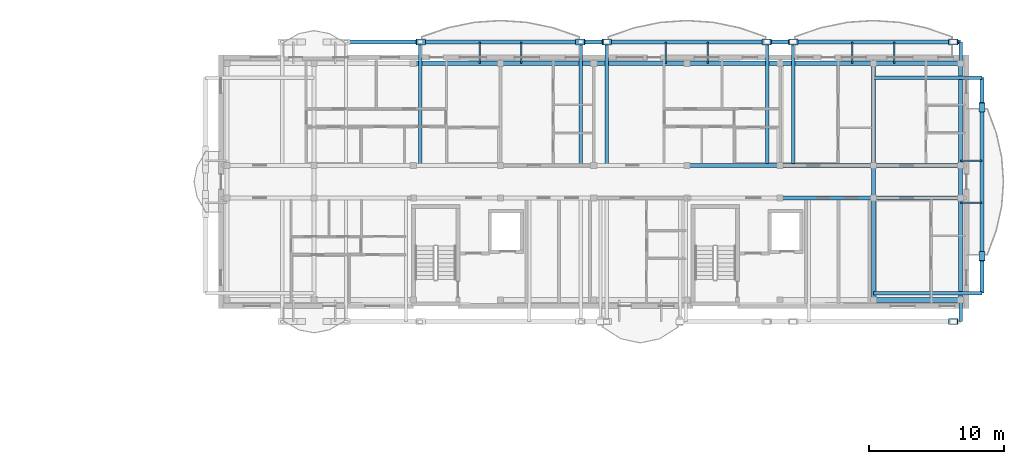
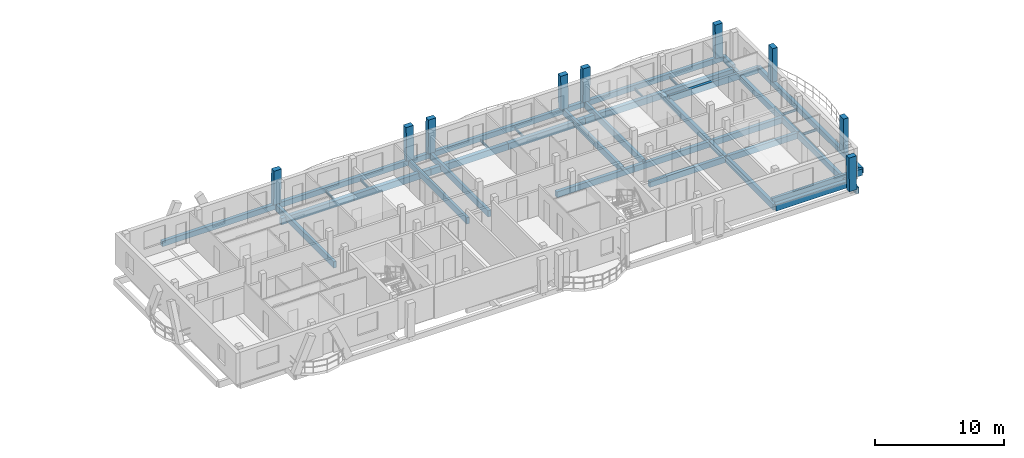
# One storey, part 7 of 48: 37 beams, 9 members.
"""IFC4 building model written with IfcOpenShell, lengths in metres."""

from ifc_helpers import new_model, si_unit, direction, frame, origin, origin_2d, place, context, subcontext, project, spatial, rectangle, i_section, extrude, material, material_profile, profile_set, type_object, element, save


model = new_model("IFC4")

# Units and contexts
model_context = context("Model", 3, precision=1e-05, world=origin(), true_north=direction((0.0, 1.0)))
body_context = subcontext(model_context, "Body", "Model", "MODEL_VIEW")
ifc_project = project(units=[si_unit("LENGTHUNIT", "METRE"), si_unit("AREAUNIT", "SQUARE_METRE"), si_unit("VOLUMEUNIT", "CUBIC_METRE"), si_unit("PLANEANGLEUNIT", "RADIAN"), si_unit("MASSUNIT", "GRAM", prefix="KILO")], contexts=[model_context])

# Site, building, storey
site_placement = place(None, origin())
site = spatial("IfcSite", under=ifc_project, at=site_placement, CompositionType="ELEMENT")
building_placement = place(site_placement, origin())
building = spatial("IfcBuilding", under=site, at=building_placement, Name="Zavelmont Quarter", CompositionType="ELEMENT")
storey_placement = place(building_placement, frame((0.0, 0.0, 17.60009765625)))
storey = spatial("IfcBuildingStorey", under=building, at=storey_placement, Name="L05", CompositionType="ELEMENT", Elevation=17.60009765625)

# Beams
ifc_material_1 = material(Name="Concrete C35/45", Category="concrete")
ifc_material_profile_1 = material_profile(ifc_material_1, rectangle(XDim=0.35009765625, YDim=0.60009765625, at=origin_2d()), Name="RC350X600")
ifc_profile_set_1 = profile_set([ifc_material_profile_1], Name="Concrete C35/45")
beam_type_1 = type_object("IfcBeamType", Name="BM01", PredefinedType="SPANDREL", material=ifc_profile_set_1)
for number, where, z_axis, x_axis, name in (
    (1, (161.10009765625, 98.0400390625, -0.56005859375), (1.0, 0.0, 0.0), (0.0, 1.0, 0.0), "L05 beam BM01 24/P to 25/P"),
    (2, (127.0400390625, 115.56005859375, -0.56005859375), (1.0, 0.0, 0.0), (0.0, 1.0, 0.0), "L05 beam BM01 19/S to 20/S"),
):
    element("IfcBeam", number, at=place(storey_placement, frame(where, z_axis=z_axis, x_axis=x_axis)), inside=storey, type_object=beam_type_1, Name=name, PredefinedType="SPANDREL", context=body_context, shape_type="SweptSolid", body=[
        extrude(rectangle(XDim=0.35009765625, YDim=0.60009765625, at=origin_2d()), origin(), (0.0, 0.0, 1.0), 6.4599609375),
    ])
beam_1_placement = place(storey_placement, frame((133.5, 115.56005859375, -0.56005859375), z_axis=(1.0, 0.0, 0.0), x_axis=(0.0, 1.0, 0.0)))
element("IfcBeam", 3, at=beam_1_placement, inside=storey, type_object=beam_type_1, Name="L05 beam BM01 20/S to 21/S", PredefinedType="SPANDREL", context=body_context, shape_type="SweptSolid", body=[
    extrude(rectangle(XDim=0.35009765625, YDim=0.60009765625, at=origin_2d()), origin(), (0.0, 0.0, 1.0), 6.89990234375),
])
beam_2_placement = place(storey_placement, frame((140.39990234375, 115.56005859375, -0.56005859375), z_axis=(1.0, 0.0, 0.0), x_axis=(0.0, 1.0, 0.0)))
element("IfcBeam", 4, at=beam_2_placement, inside=storey, type_object=beam_type_1, Name="L05 beam BM01 21/S to 22/S", PredefinedType="SPANDREL", context=body_context, shape_type="SweptSolid", body=[
    extrude(rectangle(XDim=0.35009765625, YDim=0.60009765625, at=origin_2d()), origin(), (0.0, 0.0, 1.0), 6.900146484375),
])
beam_3_placement = place(storey_placement, frame((147.300048828125, 115.56005859375, -0.56005859375), z_axis=(1.0, 0.0, 0.0), x_axis=(0.0, 1.0, 0.0)))
element("IfcBeam", 5, at=beam_3_placement, inside=storey, type_object=beam_type_1, Name="L05 beam BM01 22/S to 23/S", PredefinedType="SPANDREL", context=body_context, shape_type="SweptSolid", body=[
    extrude(rectangle(XDim=0.35009765625, YDim=0.60009765625, at=origin_2d()), origin(), (0.0, 0.0, 1.0), 6.89990234375),
])
beam_4_placement = place(storey_placement, frame((154.199951171875, 115.56005859375, -0.56005859375), z_axis=(1.0, 0.0, 0.0), x_axis=(0.0, 1.0, 0.0)))
element("IfcBeam", 6, at=beam_4_placement, inside=storey, type_object=beam_type_1, Name="L05 beam BM01 23/S to 24/S", PredefinedType="SPANDREL", context=body_context, shape_type="SweptSolid", body=[
    extrude(rectangle(XDim=0.35009765625, YDim=0.60009765625, at=origin_2d()), origin(), (0.0, 0.0, 1.0), 6.900146484375),
])
beam_5_placement = place(storey_placement, frame((161.10009765625, 115.56005859375, -0.56005859375), z_axis=(1.0, 0.0, 0.0), x_axis=(0.0, 1.0, 0.0)))
element("IfcBeam", 7, at=beam_5_placement, inside=storey, type_object=beam_type_1, Name="L05 beam BM01 24/S to 25/S", PredefinedType="SPANDREL", context=body_context, shape_type="SweptSolid", body=[
    extrude(rectangle(XDim=0.35009765625, YDim=0.60009765625, at=origin_2d()), origin(), (0.0, 0.0, 1.0), 6.4599609375),
])
ifc_material_profile_2 = material_profile(ifc_material_1, rectangle(XDim=0.300048828125, YDim=0.550048828125, at=origin_2d()), Name="RC300X550")
ifc_profile_set_2 = profile_set([ifc_material_profile_2], Name="Concrete C35/45")
beam_type_2 = type_object("IfcBeamType", Name="BM02", PredefinedType="SPANDREL", material=ifc_profile_set_2)
beam_6_placement = place(storey_placement, frame((154.199951171875, 105.60009765625, -0.53515625), z_axis=(1.0, 0.0, 0.0), x_axis=(0.0, 1.0, 0.0)))
element("IfcBeam", 8, at=beam_6_placement, inside=storey, type_object=beam_type_2, Name="L05 beam BM02 23/Q to 24/Q", PredefinedType="SPANDREL", context=body_context, shape_type="SweptSolid", body=[
    extrude(rectangle(XDim=0.300048828125, YDim=0.550048828125, at=origin_2d()), origin(), (0.0, 0.0, 1.0), 6.900146484375),
])
beam_7_placement = place(storey_placement, frame((161.10009765625, 105.60009765625, -0.53515625), z_axis=(1.0, 0.0, 0.0), x_axis=(0.0, 1.0, 0.0)))
element("IfcBeam", 9, at=beam_7_placement, inside=storey, type_object=beam_type_2, Name="L05 beam BM02 24/Q to 25/Q", PredefinedType="SPANDREL", context=body_context, shape_type="SweptSolid", body=[
    extrude(rectangle(XDim=0.300048828125, YDim=0.550048828125, at=origin_2d()), origin(), (0.0, 0.0, 1.0), 6.4599609375),
])
beam_8_placement = place(storey_placement, frame((147.300048828125, 108.0, -0.53515625), z_axis=(1.0, 0.0, 0.0), x_axis=(0.0, 1.0, 0.0)))
element("IfcBeam", 10, at=beam_8_placement, inside=storey, type_object=beam_type_2, Name="L05 beam BM02 22/R to 23/R", PredefinedType="SPANDREL", context=body_context, shape_type="SweptSolid", body=[
    extrude(rectangle(XDim=0.300048828125, YDim=0.550048828125, at=origin_2d()), origin(), (0.0, 0.0, 1.0), 6.89990234375),
])
beam_9_placement = place(storey_placement, frame((154.199951171875, 108.0, -0.53515625), z_axis=(1.0, 0.0, 0.0), x_axis=(0.0, 1.0, 0.0)))
element("IfcBeam", 11, at=beam_9_placement, inside=storey, type_object=beam_type_2, Name="L05 beam BM02 23/R to 24/R", PredefinedType="SPANDREL", context=body_context, shape_type="SweptSolid", body=[
    extrude(rectangle(XDim=0.300048828125, YDim=0.550048828125, at=origin_2d()), origin(), (0.0, 0.0, 1.0), 6.900146484375),
])
beam_10_placement = place(storey_placement, frame((161.10009765625, 108.0, -0.53515625), z_axis=(1.0, 0.0, 0.0), x_axis=(0.0, 1.0, 0.0)))
element("IfcBeam", 12, at=beam_10_placement, inside=storey, type_object=beam_type_2, Name="L05 beam BM02 24/R to 25/R", PredefinedType="SPANDREL", context=body_context, shape_type="SweptSolid", body=[
    extrude(rectangle(XDim=0.300048828125, YDim=0.550048828125, at=origin_2d()), origin(), (0.0, 0.0, 1.0), 6.4599609375),
])
beam_11_placement = place(storey_placement, frame((161.10009765625, 98.0400390625, -0.53515625), z_axis=(0.0, 1.0, 0.0), x_axis=(-1.0, 0.0, 0.0)))
element("IfcBeam", 13, at=beam_11_placement, inside=storey, type_object=beam_type_2, Name="L05 beam BM02 24/P to 24/Q", PredefinedType="SPANDREL", context=body_context, shape_type="SweptSolid", body=[
    extrude(rectangle(XDim=0.300048828125, YDim=0.550048828125, at=origin_2d()), origin(), (0.0, 0.0, 1.0), 7.56005859375),
])
beam_12_placement = place(storey_placement, frame((161.10009765625, 105.60009765625, -0.53515625), z_axis=(0.0, 1.0, 0.0), x_axis=(-1.0, 0.0, 0.0)))
element("IfcBeam", 14, at=beam_12_placement, inside=storey, type_object=beam_type_2, Name="L05 beam BM02 24/Q to 24/R", PredefinedType="SPANDREL", context=body_context, shape_type="SweptSolid", body=[
    extrude(rectangle(XDim=0.300048828125, YDim=0.550048828125, at=origin_2d()), origin(), (0.0, 0.0, 1.0), 2.39990234375),
])
for number, where, z_axis, x_axis, name in (
    (15, (161.10009765625, 108.0, -0.53515625), (0.0, 1.0, 0.0), (-1.0, 0.0, 0.0), "L05 beam BM02 24/R to 24/S"),
    (16, (167.56005859375, 98.0400390625, -0.53515625), (0.0, 1.0, 0.0), (-1.0, 0.0, 0.0), "L05 beam BM02 25/P to 25/Q"),
):
    element("IfcBeam", number, at=place(storey_placement, frame(where, z_axis=z_axis, x_axis=x_axis)), inside=storey, type_object=beam_type_2, Name=name, PredefinedType="SPANDREL", context=body_context, shape_type="SweptSolid", body=[
        extrude(rectangle(XDim=0.300048828125, YDim=0.550048828125, at=origin_2d()), origin(), (0.0, 0.0, 1.0), 7.56005859375),
    ])
beam_13_placement = place(storey_placement, frame((167.56005859375, 105.60009765625, -0.53515625), z_axis=(0.0, 1.0, 0.0), x_axis=(-1.0, 0.0, 0.0)))
element("IfcBeam", 17, at=beam_13_placement, inside=storey, type_object=beam_type_2, Name="L05 beam BM02 25/Q to 25/R", PredefinedType="SPANDREL", context=body_context, shape_type="SweptSolid", body=[
    extrude(rectangle(XDim=0.300048828125, YDim=0.550048828125, at=origin_2d()), origin(), (0.0, 0.0, 1.0), 2.39990234375),
])
beam_14_placement = place(storey_placement, frame((167.56005859375, 108.0, -0.53515625), z_axis=(0.0, 1.0, 0.0), x_axis=(-1.0, 0.0, 0.0)))
element("IfcBeam", 18, at=beam_14_placement, inside=storey, type_object=beam_type_2, Name="L05 beam BM02 25/R to 25/S", PredefinedType="SPANDREL", context=body_context, shape_type="SweptSolid", body=[
    extrude(rectangle(XDim=0.300048828125, YDim=0.550048828125, at=origin_2d()), origin(), (0.0, 0.0, 1.0), 7.56005859375),
])
ifc_material_profile_3 = material_profile(ifc_material_1, rectangle(XDim=0.300048828125, YDim=0.5, at=origin_2d()), Name="RC300X500")
ifc_profile_set_3 = profile_set([ifc_material_profile_3], Name="Concrete C35/45")
beam_type_3 = type_object("IfcBeamType", Name="BM03", PredefinedType="BEAM", material=ifc_profile_set_3)
beam_15_placement = place(storey_placement, frame((117.341064453125, 117.14990234375, -0.25), z_axis=(1.0, 0.0, 0.0), x_axis=(0.0, 1.0, 0.0)))
element("IfcBeam", 19, at=beam_15_placement, inside=storey, type_object=beam_type_3, Name="L05 beam BM03 18/S to 25/S", PredefinedType="BEAM", context=body_context, shape_type="SweptSolid", body=[
    extrude(rectangle(XDim=0.300048828125, YDim=0.5, at=origin_2d()), origin(), (0.0, 0.0, 1.0), 50.218994140625),
])
beam_16_placement = place(storey_placement, frame((169.14990234375, 98.550048828125, -0.25), z_axis=(0.0, 1.0, 0.0), x_axis=(-1.0, 0.0, 0.0)))
element("IfcBeam", 20, at=beam_16_placement, inside=storey, type_object=beam_type_3, Name="L05 beam BM03 25/P to 25/S", PredefinedType="BEAM", context=body_context, shape_type="SweptSolid", body=[
    extrude(rectangle(XDim=0.300048828125, YDim=0.5, at=origin_2d()), origin(), (0.0, 0.0, 1.0), 15.949951171875),
])
ifc_material_2 = material(Name="Steel S355", Category="steel")
ifc_material_profile_4 = material_profile(ifc_material_2, i_section(OverallWidth=0.110107421875, OverallDepth=0.219970703125, WebThickness=0.005859375, FlangeThickness=0.00927734375, at=origin_2d()), Name="IPE 220")
ifc_profile_set_4 = profile_set([ifc_material_profile_4], Name="Steel S355")
beam_type_4 = type_object("IfcBeamType", Name="BM15", PredefinedType="JOIST", material=ifc_profile_set_4)
for number, where, z_axis, x_axis, name in (
    (21, (131.949951171875, 115.56005859375, -0.3720703125), (0.0, 1.0, 0.0), (-1.0, 0.0, 0.0), "L05 beam BM15 20/S to 20/S"),
    (22, (135.050048828125, 115.56005859375, -0.3720703125), (0.0, 1.0, 0.0), (-1.0, 0.0, 0.0), "L05 beam BM15 20/S to 20/S"),
    (23, (145.75, 115.56005859375, -0.3720703125), (0.0, 1.0, 0.0), (-1.0, 0.0, 0.0), "L05 beam BM15 22/S to 22/S"),
    (24, (148.85009765625, 115.56005859375, -0.3720703125), (0.0, 1.0, 0.0), (-1.0, 0.0, 0.0), "L05 beam BM15 22/S to 22/S"),
    (25, (159.550048828125, 115.56005859375, -0.3720703125), (0.0, 1.0, 0.0), (-1.0, 0.0, 0.0), "L05 beam BM15 24/S to 24/S"),
    (26, (162.64990234375, 115.56005859375, -0.3720703125), (0.0, 1.0, 0.0), (-1.0, 0.0, 0.0), "L05 beam BM15 24/S to 24/S"),
    (27, (167.56005859375, 105.25, -0.3720703125), (1.0, 0.0, 0.0), (0.0, 1.0, 0.0), "L05 beam BM15 25/Q to 25/Q"),
    (28, (167.56005859375, 108.35009765625, -0.3720703125), (1.0, 0.0, 0.0), (0.0, 1.0, 0.0), "L05 beam BM15 25/R to 25/R"),
):
    element("IfcBeam", number, at=place(storey_placement, frame(where, z_axis=z_axis, x_axis=x_axis)), inside=storey, type_object=beam_type_4, Name=name, PredefinedType="JOIST", context=body_context, shape_type="SweptSolid", body=[
        extrude(i_section(OverallWidth=0.110107421875, OverallDepth=0.219970703125, WebThickness=0.005859375, FlangeThickness=0.00927734375, at=origin_2d()), origin(), (0.0, 0.0, 1.0), 1.58984375),
    ])
ifc_material_3 = material(Name="Concrete C40/50", Category="concrete")
ifc_material_profile_5 = material_profile(ifc_material_3, rectangle(XDim=0.25, YDim=0.60009765625, at=origin_2d()), Name="RC250X600")
ifc_profile_set_5 = profile_set([ifc_material_profile_5], Name="Concrete C40/50")
beam_type_5 = type_object("IfcBeamType", Name="BM18", PredefinedType="BEAM", material=ifc_profile_set_5)
for number, where, z_axis, x_axis, name in (
    (29, (127.558837890625, 108.0, -0.300048828125), (0.0, 1.0, 0.0), (-1.0, 0.0, 0.0), "L05 beam BM18 19/R to 19/S"),
    (30, (139.441162109375, 108.0, -0.300048828125), (0.0, 1.0, 0.0), (-1.0, 0.0, 0.0), "L05 beam BM18 21/R to 21/S"),
    (31, (141.35888671875, 108.0, -0.300048828125), (0.0, 1.0, 0.0), (-1.0, 0.0, 0.0), "L05 beam BM18 21/R to 21/S"),
    (32, (153.2412109375, 108.0, -0.300048828125), (0.0, 1.0, 0.0), (-1.0, 0.0, 0.0), "L05 beam BM18 23/R to 23/S"),
    (33, (155.15869140625, 108.0, -0.300048828125), (0.0, 1.0, 0.0), (-1.0, 0.0, 0.0), "L05 beam BM18 23/R to 23/S"),
):
    element("IfcBeam", number, at=place(storey_placement, frame(where, z_axis=z_axis, x_axis=x_axis)), inside=storey, type_object=beam_type_5, Name=name, PredefinedType="BEAM", context=body_context, shape_type="SweptSolid", body=[
        extrude(rectangle(XDim=0.25, YDim=0.60009765625, at=origin_2d()), origin(), (0.0, 0.0, 1.0), 9.14990234375),
    ])
beam_17_placement = place(storey_placement, frame((167.56005859375, 115.56005859375, -0.300048828125), z_axis=(0.0, 1.0, 0.0), x_axis=(-1.0, 0.0, 0.0)))
element("IfcBeam", 34, at=beam_17_placement, inside=storey, type_object=beam_type_5, Name="L05 beam BM18 25/S to 25/S", PredefinedType="BEAM", context=body_context, shape_type="SweptSolid", body=[
    extrude(rectangle(XDim=0.25, YDim=0.60009765625, at=origin_2d()), origin(), (0.0, 0.0, 1.0), 1.58984375),
])
beam_18_placement = place(storey_placement, frame((167.56005859375, 98.0400390625, -0.300048828125), z_axis=(0.0, -1.0, 0.0), x_axis=(1.0, 0.0, 0.0)))
element("IfcBeam", 35, at=beam_18_placement, inside=storey, type_object=beam_type_5, Name="L05 beam BM18 25/P to 25/P", PredefinedType="BEAM", context=body_context, shape_type="SweptSolid", body=[
    extrude(rectangle(XDim=0.25, YDim=0.60009765625, at=origin_2d()), origin(), (0.0, 0.0, 1.0), 1.590087890625),
])
for number, where, z_axis, x_axis, name in (
    (36, (161.10009765625, 98.550048828125, -0.300048828125), (1.0, 0.0, 0.0), (0.0, 1.0, 0.0), "L05 beam BM18 24/P to 25/P"),
    (37, (161.10009765625, 114.5, -0.300048828125), (1.0, 0.0, 0.0), (0.0, 1.0, 0.0), "L05 beam BM18 24/S to 25/S"),
):
    element("IfcBeam", number, at=place(storey_placement, frame(where, z_axis=z_axis, x_axis=x_axis)), inside=storey, type_object=beam_type_5, Name=name, PredefinedType="BEAM", context=body_context, shape_type="SweptSolid", body=[
        extrude(rectangle(XDim=0.25, YDim=0.60009765625, at=origin_2d()), origin(), (0.0, 0.0, 1.0), 8.0498046875),
    ])

# Members
ifc_material_4 = material(Name="White architectural precast concrete C40/50", Category="concrete")
ifc_material_profile_6 = material_profile(ifc_material_4, rectangle(XDim=0.43994140625, YDim=0.659912109375, at=origin_2d()), Name="PCR320X480")
ifc_profile_set_6 = profile_set([ifc_material_profile_6], Name="White architectural precast concrete C40/50")
member_type = type_object("IfcMemberType", Name="VR01M", PredefinedType="CHORD", material=ifc_profile_set_6)
for number, where, z_axis, x_axis, name in (
    (38, (127.558837890625, 117.14990234375, 0.0), (0.014113189497, 0.0, 0.999900403981), (0.0, 1.0, 0.0), "L05 member VR01M 19/S to 19/S"),
    (39, (139.441162109375, 117.14990234375, 0.0), (-0.014113189497, 0.0, 0.999900403981), (0.0, -1.0, 0.0), "L05 member VR01M 21/S to 21/S"),
    (40, (141.35888671875, 117.14990234375, 0.0), (0.014036917058, 0.0, 0.999901477626), (0.0, 1.0, 0.0), "L05 member VR01M 21/S to 21/S"),
    (41, (153.2412109375, 117.14990234375, 0.0), (-0.014113189497, 0.0, 0.999900403981), (0.0, -1.0, 0.0), "L05 member VR01M 23/S to 23/S"),
    (42, (155.15869140625, 117.14990234375, 0.0), (0.014113189497, 0.0, 0.999900403981), (0.0, 1.0, 0.0), "L05 member VR01M 23/S to 23/S"),
    (43, (167.041259765625, 117.14990234375, 0.0), (-0.014113189497, 0.0, 0.999900403981), (0.0, -1.0, 0.0), "L05 member VR01M 25/S to 25/S"),
    (44, (167.041259765625, 96.449951171875, 0.0), (-0.014113189497, 0.0, 0.999900403981), (0.0, -1.0, 0.0), "L05 member VR01M 25/P to 25/P"),
    (45, (169.14990234375, 101.276611328125, 0.0), (0.0, 0.012282586035, 0.999924566195), (-1.0, 0.0, 0.0), "L05 member VR01M 25/P to 25/P"),
    (46, (169.14990234375, 112.3232421875, 0.0), (0.0, -0.012282586035, 0.999924566195), (1.0, 0.0, 0.0), "L05 member VR01M 25/S to 25/S"),
):
    element("IfcMember", number, at=place(storey_placement, frame(where, z_axis=z_axis, x_axis=x_axis)), inside=storey, type_object=member_type, Name=name, PredefinedType="CHORD", context=body_context, shape_type="SweptSolid", body=[
        extrude(rectangle(XDim=0.43994140625, YDim=0.659912109375, at=origin_2d()), origin(), (0.0, 0.0, 1.0), 3.2001953125),
    ])

save(model, "model.ifc")
